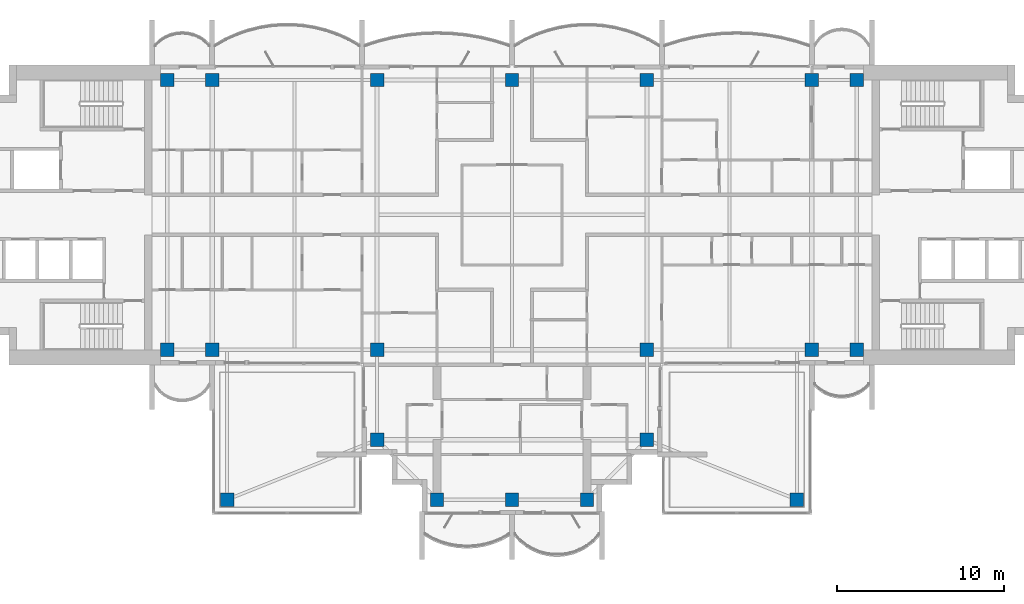
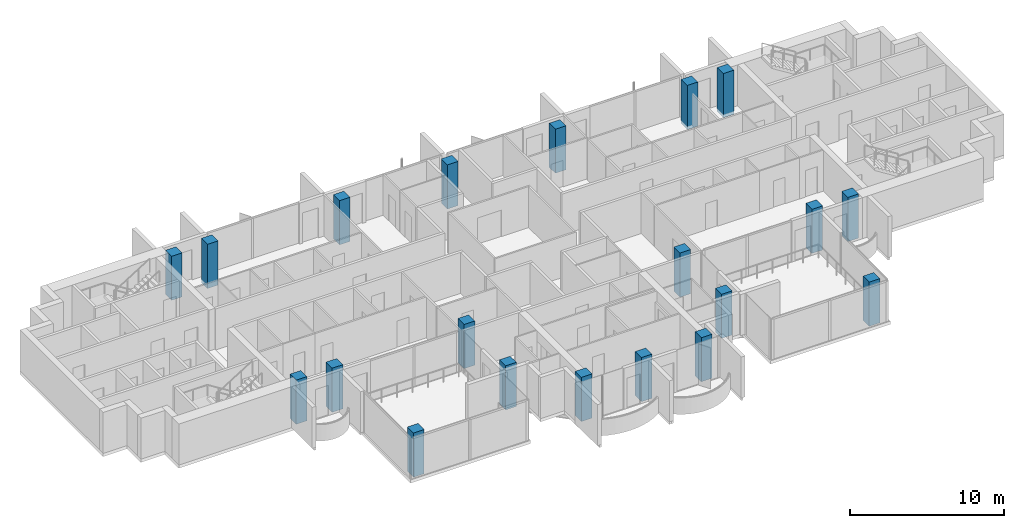
# One storey, part 1 of 16: 20 columns.
"""IFC4 building model written with IfcOpenShell, lengths in metres."""

import ifcopenshell
import ifcopenshell.guid

model = None  # the IFC model being written
_history = None  # IfcOwnerHistory: only IFC2X3 demands one
_inside = {}  # id of a spatial element -> (the spatial element, [elements in it])
_under = {}  # id of a project, library or spatial element -> (it, [spatial elements below it])
_declared = {}  # id of a project -> (the project, [libraries it declares])
_typed = {}  # id of a type object -> (the type object, [elements of that type])
_made_of = {}  # id of a material, layer set ... -> (it, [elements and type objects made of it])


def new_model(schema):
    """Start an empty IFC model of exactly this schema.

    Asked for "IFC4X3", IfcOpenShell would pick the latest addendum, in which some entities
    have other attributes; the version numbers below select the first issue.
    IFC2X3 requires an IfcOwnerHistory on every rooted entity: one is made here for all.
    """
    global model, _history
    if schema == "IFC4X3":
        model = ifcopenshell.file(schema_version=(4, 3, 0, 0))
    else:
        model = ifcopenshell.file(schema=schema)
    _inside.clear()
    _under.clear()
    _declared.clear()
    _typed.clear()
    _made_of.clear()
    _history = None
    if model.schema == "IFC2X3":
        org = make("IfcOrganization", Name="unknown")
        user = make(
            "IfcPersonAndOrganization",
            ThePerson=make("IfcPerson", FamilyName="unknown"),
            TheOrganization=org,
        )
        app = make(
            "IfcApplication",
            ApplicationDeveloper=org,
            Version="unknown",
            ApplicationFullName="unknown",
            ApplicationIdentifier="unknown",
        )
        _history = make(
            "IfcOwnerHistory",
            OwningUser=user,
            OwningApplication=app,
            ChangeAction="ADDED",
            CreationDate=0,
        )
    return model


def make(cls, **values):
    """One entity of the class cls with the attributes given. An attribute that is None is left unset."""
    return model.create_entity(
        cls, **{name: value for name, value in values.items() if value is not None}
    )


def rooted(cls, **values):
    """An entity with a GlobalId (a new one), such as an element, a storey or a relation."""
    return make(cls, GlobalId=ifcopenshell.guid.new(), OwnerHistory=_history, **values)


def si_unit(unit_type, name, prefix=None):
    """IfcSIUnit, for example si_unit("LENGTHUNIT", "METRE", prefix="MILLI")."""
    return make("IfcSIUnit", UnitType=unit_type, Prefix=prefix, Name=name)


def assignment(units):
    """IfcUnitAssignment: the units of a project."""
    return None if units is None else make("IfcUnitAssignment", Units=units)


def point(xyz):
    """IfcCartesianPoint."""
    return None if xyz is None else make("IfcCartesianPoint", Coordinates=xyz)


def direction(xyz):
    """IfcDirection."""
    return None if xyz is None else make("IfcDirection", DirectionRatios=xyz)


def frame(location, z_axis=None, x_axis=None):
    """IfcAxis2Placement3D, a coordinate frame: its origin and axes. An axis left out is left unset."""
    return make(
        "IfcAxis2Placement3D",
        Location=point(location),
        Axis=direction(z_axis),
        RefDirection=direction(x_axis),
    )


def frame_2d(location, x_axis=None):
    """IfcAxis2Placement2D, a coordinate frame in the plane: its origin and x axis."""
    return make(
        "IfcAxis2Placement2D", Location=point(location), RefDirection=direction(x_axis)
    )


def origin():
    """The frame at (0, 0, 0) with its axes left unset."""
    return frame((0.0, 0.0, 0.0))


def origin_2d():
    """The frame at (0, 0) in the plane with its x axis left unset."""
    return frame_2d((0.0, 0.0))


def place(relative_to, where):
    """IfcLocalPlacement: puts the frame where relative to a parent placement (None: the world)."""
    return make(
        "IfcLocalPlacement", PlacementRelTo=relative_to, RelativePlacement=where
    )


def context(
    kind, dimensions, precision=None, world=None, true_north=None, identifier=None
):
    """IfcGeometricRepresentationContext, for example the 3D "Model" context."""
    return make(
        "IfcGeometricRepresentationContext",
        ContextIdentifier=identifier,
        ContextType=kind,
        CoordinateSpaceDimension=dimensions,
        Precision=precision,
        WorldCoordinateSystem=world,
        TrueNorth=true_north,
    )


def subcontext(parent, identifier, kind, view, scale=None):
    """IfcGeometricRepresentationSubContext, for example "Body" below "Model"."""
    return make(
        "IfcGeometricRepresentationSubContext",
        ContextIdentifier=identifier,
        ContextType=kind,
        ParentContext=parent,
        TargetScale=scale,
        TargetView=view,
    )


def project(units=None, contexts=None):
    """IfcProject with its units and contexts."""
    return rooted(
        "IfcProject",
        Name="project",
        RepresentationContexts=contexts,
        UnitsInContext=assignment(units),
    )


def spatial(cls, under=None, at=None, **own):
    """A site, building, storey or space (cls), placed at a placement, below another one or the project."""
    s = rooted(cls, ObjectPlacement=at, **own)
    if under is not None:
        _under.setdefault(under.id(), (under, []))[1].append(s)
    return s


def profile(cls, at=None, kind="AREA", **sizes):
    """A parametric profile (cls). Its sizes go by their IFC names, for example OverallWidth=200.0."""
    return make(cls, ProfileType=kind, Position=at, **sizes)


def rectangle(**sizes):
    """IfcRectangleProfileDef."""
    return profile("IfcRectangleProfileDef", **sizes)


def extrude(swept, where, along, depth):
    """IfcExtrudedAreaSolid: the profile swept, set in the frame where, extruded along a direction by depth."""
    return make(
        "IfcExtrudedAreaSolid",
        SweptArea=swept,
        Position=where,
        ExtrudedDirection=direction(along),
        Depth=depth,
    )


def shape(context_of_items, identifier, shape_type, items):
    """IfcShapeRepresentation: the items that make up one representation, for example the "Body"."""
    return make(
        "IfcShapeRepresentation",
        ContextOfItems=context_of_items,
        RepresentationIdentifier=identifier,
        RepresentationType=shape_type,
        Items=items,
    )


def material(Name=None, Category=None):
    """IfcMaterial."""
    return make("IfcMaterial", Name=Name, Category=Category)


def material_profile(
    of_material, cross_section, Name=None, Category=None, Priority=None
):
    """IfcMaterialProfile: a cross section and its material."""
    return make(
        "IfcMaterialProfile",
        Name=Name,
        Material=of_material,
        Profile=cross_section,
        Priority=Priority,
        Category=Category,
    )


def profile_set(profiles, Name=None, composite=None):
    """IfcMaterialProfileSet."""
    return make(
        "IfcMaterialProfileSet",
        Name=Name,
        MaterialProfiles=profiles,
        CompositeProfile=composite,
    )


def made_of(thing, what):
    """Note that an element or type object is made of a material, layer set ...; save() writes the relation."""
    if what is not None:
        _made_of.setdefault(what.id(), (what, []))[1].append(thing)
    return thing


def type_object(cls, material=None, **own):
    """A type object (cls), such as IfcWallType, which elements share."""
    return made_of(rooted(cls, **own), material)


def element(
    cls,
    number,
    at=None,
    inside=None,
    cuts=None,
    type_object=None,
    material=None,
    context=None,
    identifier="Body",
    shape_type=None,
    held_by="IfcProductDefinitionShape",
    body=None,
    shapes=None,
    **own,
):
    """One element of the class cls, such as IfcWall. Its Tag is "e" and its number.

    at: its placement. inside: the storey or other place that contains it. cuts: it is an
    opening in that element (IfcRelVoidsElement). A single representation is given by context,
    identifier, shape_type and body (its items); several are given by shapes. held_by: the class
    of the entity that holds the representations. save() writes the other relations.
    """
    e = rooted(cls, Tag="e%d" % number, ObjectPlacement=at, **own)
    if body is not None:
        shapes = [shape(context, identifier, shape_type, body)]
    if shapes is not None:
        e.Representation = make(held_by, Representations=shapes)
    if inside is not None:
        _inside.setdefault(inside.id(), (inside, []))[1].append(e)
    if cuts is not None:
        rooted(
            "IfcRelVoidsElement", RelatingBuildingElement=cuts, RelatedOpeningElement=e
        )
    if type_object is not None:
        _typed.setdefault(type_object.id(), (type_object, []))[1].append(e)
    return made_of(e, material)


def aggregate(whole, parts):
    """IfcRelAggregates: a whole, such as a stair, and the parts it consists of."""
    return rooted("IfcRelAggregates", RelatingObject=whole, RelatedObjects=parts)


def save(model, path):
    """Write the relations noted so far, then the file.

    IfcRelAggregates (storeys below a building ...), IfcRelContainedInSpatialStructure (elements
    in a storey), IfcRelDefinesByType, IfcRelAssociatesMaterial and IfcRelDeclares: one each for
    every whole, place, type object, material and project.
    """
    for whole, parts in _under.values():
        aggregate(whole, parts)
    for where, things in _inside.values():
        rooted(
            "IfcRelContainedInSpatialStructure",
            RelatedElements=things,
            RelatingStructure=where,
        )
    for kind, things in _typed.values():
        rooted("IfcRelDefinesByType", RelatedObjects=things, RelatingType=kind)
    for what, things in _made_of.values():
        rooted("IfcRelAssociatesMaterial", RelatedObjects=things, RelatingMaterial=what)
    for by, libraries in _declared.values():
        rooted("IfcRelDeclares", RelatingContext=by, RelatedDefinitions=libraries)
    model.write(path)


model = new_model("IFC4")

# Units and contexts
model_context = context("Model", 3, precision=1e-05, world=origin(), true_north=direction((0.0, 1.0)))
body_context = subcontext(model_context, "Body", "Model", "MODEL_VIEW")
ifc_project = project(units=[si_unit("LENGTHUNIT", "METRE"), si_unit("AREAUNIT", "SQUARE_METRE"), si_unit("VOLUMEUNIT", "CUBIC_METRE"), si_unit("PLANEANGLEUNIT", "RADIAN"), si_unit("MASSUNIT", "GRAM", prefix="KILO")], contexts=[model_context])

# Site, building, storey
site_placement = place(None, origin())
site = spatial("IfcSite", under=ifc_project, at=site_placement, CompositionType="ELEMENT")
building_placement = place(site_placement, origin())
building = spatial("IfcBuilding", under=site, at=building_placement, Name="Perihelion Cross Residences", CompositionType="ELEMENT")
storey_placement = place(building_placement, frame((0.0, 0.0, 274.5)))
storey = spatial("IfcBuildingStorey", under=building, at=storey_placement, Name="L70", CompositionType="ELEMENT", Elevation=274.5)

# Columns
ifc_material = material(Name="Concrete C50/60", Category="concrete")
ifc_material_profile = material_profile(ifc_material, rectangle(XDim=0.800048828125, YDim=0.800048828125, at=origin_2d()), Name="RC 800x800")
ifc_profile_set = profile_set([ifc_material_profile], Name="Concrete C50/60")
column_type = type_object("IfcColumnType", Name="Reinforced concrete column 800x800 C50/60", PredefinedType="COLUMN", material=ifc_profile_set)
for number, where, z_axis, x_axis, name in (
    (1, (-20.699951171875, -8.10009765625, -0.25), (0.0, 0.0, 1.0), (1.0, 0.0, 0.0), "Column C017 L70 no. 1"),
    (2, (-20.699951171875, 8.10009765625, -0.25), (0.0, 0.0, 1.0), (1.0, 0.0, 0.0), "Column C010 L70 no. 1"),
    (3, (-18.0, -8.10009765625, -0.25), (0.0, 0.0, 1.0), (1.0, 0.0, 0.0), "Column C018 L70 no. 1"),
    (4, (-18.0, 8.10009765625, -0.25), (0.0, 0.0, 1.0), (1.0, 0.0, 0.0), "Column C011 L70 no. 1"),
    (5, (-8.10009765625, -13.5, -0.25), (0.0, 0.0, 1.0), (1.0, 0.0, 0.0), "Column C025 L70 no. 1"),
    (6, (-8.10009765625, -8.10009765625, -0.25), (0.0, 0.0, 1.0), (1.0, 0.0, 0.0), "Column C019 L70 no. 1"),
    (7, (-8.10009765625, 8.10009765625, -0.25), (0.0, 0.0, 1.0), (1.0, 0.0, 0.0), "Column C012 L70 no. 1"),
    (8, (-4.5, -17.10009765625, -0.25), (0.0, 0.0, 1.0), (1.0, 0.0, 0.0), "Column C032 L70 no. 1"),
    (9, (0.0, -17.10009765625, -0.25), (0.0, 0.0, 1.0), (1.0, 0.0, 0.0), "Column C033 L70 no. 1"),
    (10, (0.0, 8.10009765625, -0.25), (0.0, 0.0, 1.0), (1.0, 0.0, 0.0), "Column C013 L70 no. 1"),
    (11, (4.5, -17.10009765625, -0.25), (0.0, 0.0, 1.0), (1.0, 0.0, 0.0), "Column C034 L70 no. 1"),
    (12, (8.10009765625, -13.5, -0.25), (0.0, 0.0, 1.0), (1.0, 0.0, 0.0), "Column C029 L70 no. 1"),
    (13, (8.10009765625, -8.10009765625, -0.25), (0.0, 0.0, 1.0), (1.0, 0.0, 0.0), "Column C020 L70 no. 1"),
    (14, (8.10009765625, 8.10009765625, -0.25), (0.0, 0.0, 1.0), (1.0, 0.0, 0.0), "Column C014 L70 no. 1"),
    (15, (18.0, -8.10009765625, -0.25), (0.0, 0.0, 1.0), (1.0, 0.0, 0.0), "Column C021 L70 no. 1"),
    (16, (18.0, 8.10009765625, -0.25), (0.0, 0.0, 1.0), (1.0, 0.0, 0.0), "Column C015 L70 no. 1"),
    (17, (20.699951171875, -8.10009765625, -0.25), (0.0, 0.0, 1.0), (1.0, 0.0, 0.0), "Column C022 L70 no. 1"),
    (18, (20.699951171875, 8.10009765625, -0.25), (0.0, 0.0, 1.0), (1.0, 0.0, 0.0), "Column C016 L70 no. 1"),
    (19, (-17.10009765625, -17.10009765625, -0.25), (0.0, 0.0, 1.0), (1.0, 0.0, 0.0), "Column C030 L70 no. 1"),
    (20, (17.10009765625, -17.10009765625, -0.25), (0.0, 0.0, 1.0), (1.0, 0.0, 0.0), "Column C036 L70 no. 1"),
):
    element("IfcColumn", number, at=place(storey_placement, frame(where, z_axis=z_axis, x_axis=x_axis)), inside=storey, type_object=column_type, Name=name, PredefinedType="COLUMN", context=body_context, shape_type="SweptSolid", body=[
        extrude(rectangle(XDim=0.800048828125, YDim=0.800048828125, at=origin_2d()), origin(), (0.0, 0.0, 1.0), 3.5),
    ])

save(model, "model.ifc")
